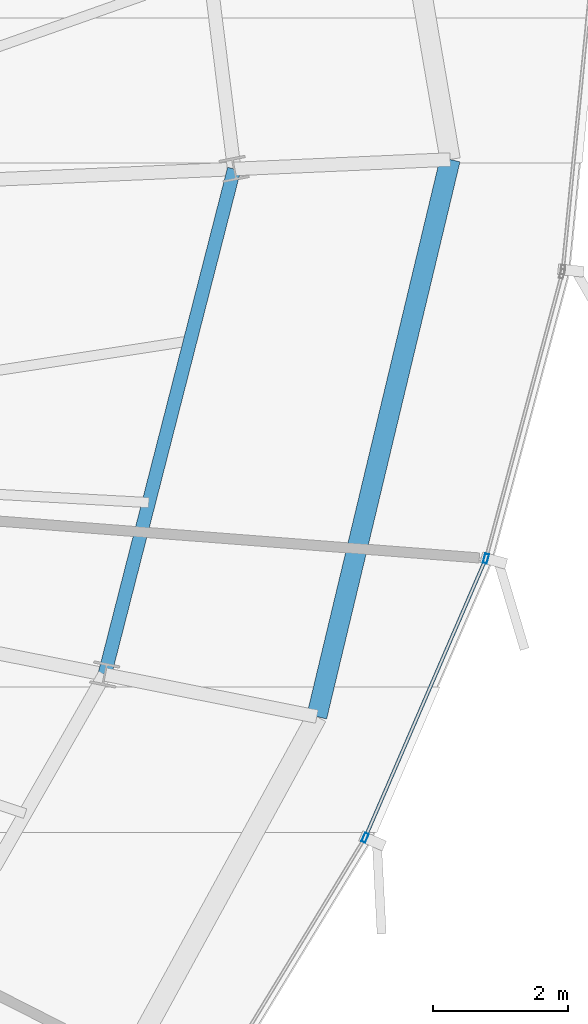
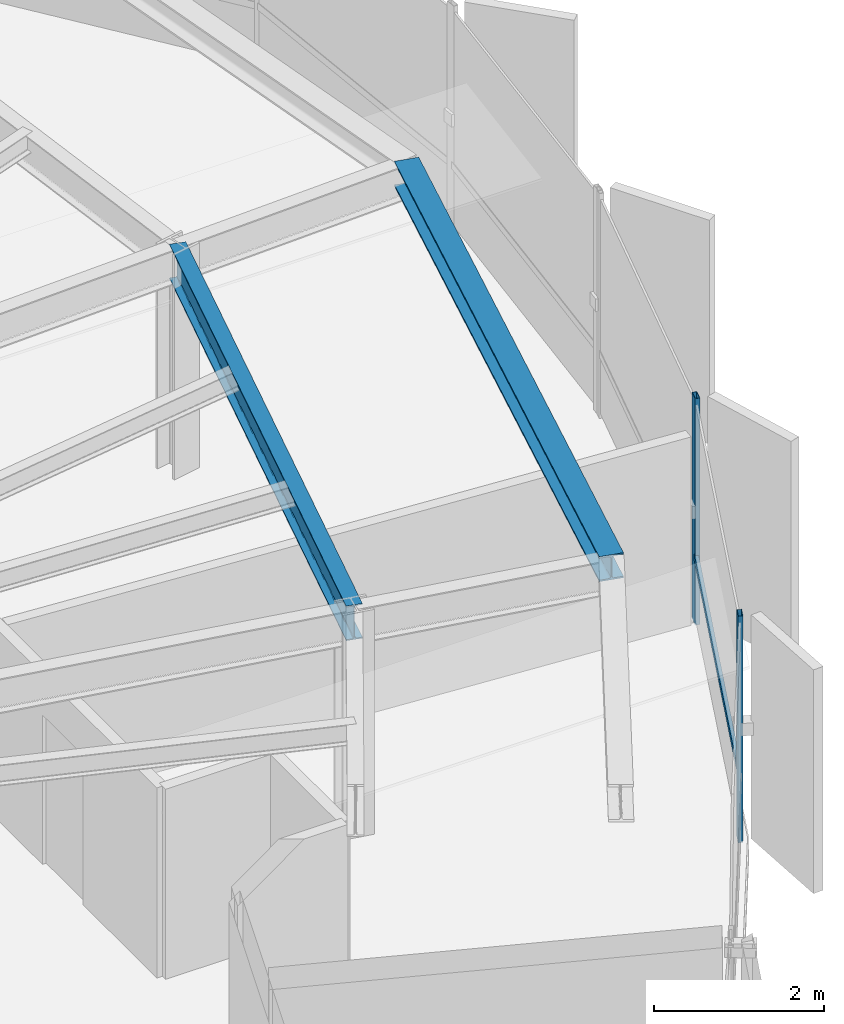
# One storey, part 17 of 34: 3 members, 2 beams, 1 element without a shape of its own.
"""IFC4 building model written with IfcOpenShell, lengths in metres."""

from ifc_helpers import new_model, si_unit, direction, frame, origin, origin_2d, place, context, subcontext, project, spatial, hollow_rectangle, i_section, extrude, source, transform, mapped, material, layer, layer_set, material_profile, profile_set, type_object, element, aggregate, save


model = new_model("IFC4")

# Units and contexts
model_context = context("Model", 3, precision=1e-05, world=origin(), true_north=direction((0.0, 1.0)))
body_context = subcontext(model_context, "Body", "Model", "MODEL_VIEW")
ifc_project = project(units=[si_unit("LENGTHUNIT", "METRE"), si_unit("AREAUNIT", "SQUARE_METRE"), si_unit("VOLUMEUNIT", "CUBIC_METRE"), si_unit("PLANEANGLEUNIT", "RADIAN"), si_unit("MASSUNIT", "GRAM", prefix="KILO"), si_unit("THERMODYNAMICTEMPERATUREUNIT", "KELVIN")], contexts=[model_context])

# Site, building, storey
site_placement = place(None, origin())
site = spatial("IfcSite", under=ifc_project, at=site_placement, CompositionType="ELEMENT")
building_placement = place(site_placement, origin())
building = spatial("IfcBuilding", under=site, at=building_placement, Name="Kethvar Cultural Tower", CompositionType="ELEMENT")
storey_placement = place(building_placement, frame((0.0, 0.0, 190.39990234375)))
storey = spatial("IfcBuildingStorey", under=building, at=storey_placement, Name="L49", CompositionType="ELEMENT", Elevation=190.39990234375)

# Beams
ifc_material_1 = material(Name="Steel S355J2", Category="steel")
ifc_material_profile_1 = material_profile(ifc_material_1, i_section(OverallWidth=0.199951171875, OverallDepth=0.5, WebThickness=0.01025390625, FlangeThickness=0.01611328125, FilletRadius=0.02099609375, at=origin_2d()), Name="Steel S355J2 — IPE500")
ifc_profile_set_1 = profile_set([ifc_material_profile_1], Name="Steel S355J2 — IPE500")
beam_type_1 = type_object("IfcBeamType", Name="BM-IPE500", PredefinedType="BEAM", material=ifc_profile_set_1)
shared_shape_1 = source(origin(), body_context, "Body", "SweptSolid", [
    extrude(i_section(OverallWidth=0.199951171875, OverallDepth=0.5, WebThickness=0.01025390625, FlangeThickness=0.01611328125, FilletRadius=0.02099609375, at=origin_2d()), origin(), (0.0, 0.0, 1.0), 7.72265625),
])
beam_1_placement = place(storey_placement, frame((64.648681640625, 24.249755859375, 3.008056640625), z_axis=(0.248006445258, 0.968758382214, 0.0), x_axis=(-0.968758382214, 0.248006445258, 0.0)))
element("IfcBeam", 1, at=beam_1_placement, inside=storey, type_object=beam_type_1, Name="L49 Column Ring Tie Beam CR-16", PredefinedType="BEAM", context=body_context, shape_type="MappedRepresentation", body=[
    mapped(shared_shape_1, transform((0.0, 0.0, 0.0), scale=1.0)),
])
ifc_material_profile_2 = material_profile(ifc_material_1, i_section(OverallWidth=0.300048828125, OverallDepth=0.360107421875, WebThickness=0.012451171875, FlangeThickness=0.0224609375, FilletRadius=0.027099609375, at=origin_2d()), Name="Steel S355J2 — HEB360")
ifc_profile_set_2 = profile_set([ifc_material_profile_2], Name="Steel S355J2 — HEB360")
beam_type_2 = type_object("IfcBeamType", Name="BM-SP360", PredefinedType="SPANDREL", material=ifc_profile_set_2)
shared_shape_2 = source(origin(), body_context, "Body", "SweptSolid", [
    extrude(i_section(OverallWidth=0.300048828125, OverallDepth=0.360107421875, WebThickness=0.012451171875, FlangeThickness=0.0224609375, FilletRadius=0.027099609375, at=origin_2d()), origin(), (0.0, 0.0, 1.0), 8.47900390625),
])
beam_2_placement = place(storey_placement, frame((67.787109375, 23.62548828125, 3.078125), z_axis=(0.232794647368, 0.97252591336, 0.0), x_axis=(-0.97252591336, 0.232794647368, 0.0)))
element("IfcBeam", 2, at=beam_2_placement, inside=storey, type_object=beam_type_2, Name="L49 Perimeter Spandrel Beam SP-16", PredefinedType="SPANDREL", context=body_context, shape_type="MappedRepresentation", body=[
    mapped(shared_shape_2, transform((0.0, 0.0, 0.0), scale=1.0)),
])

# Curtain wall, members
ifc_material_2 = material(Name="Aluminium 6063-T6", Category="aluminium")
ifc_layer = layer(ifc_material_2, 0.179931640625, Name="Aluminium 6063-T6", Category="aluminium")
ifc_layer_set = layer_set([ifc_layer], Name="Aluminium 6063-T6 (180 mm)")
curtain_wall_type = type_object("IfcCurtainWallType", Name="CW-SYS-04-Z34", PredefinedType="NOTDEFINED", material=ifc_layer_set)
curtain_wall_placement = place(storey_placement, origin())
curtain_wall = element("IfcCurtainWall", 3, at=curtain_wall_placement, inside=storey, type_object=curtain_wall_type, Name="L49 Curtain Wall Run 06", PredefinedType="NOTDEFINED")
ifc_material_profile_3 = material_profile(ifc_material_2, hollow_rectangle(XDim=0.06005859375, YDim=0.139892578125, WallThickness=0.0048828125, at=origin_2d()), Name="Aluminium 6063-T6 — RHS140x60x5")
ifc_profile_set_3 = profile_set([ifc_material_profile_3], Name="Aluminium 6063-T6 — RHS140x60x5")
member_type_1 = type_object("IfcMemberType", Name="CW-SYS-04-Z34-MUL", PredefinedType="MULLION", material=ifc_profile_set_3)
shared_shape_3 = source(origin(), body_context, "Body", "SweptSolid", [
    extrude(hollow_rectangle(XDim=0.06005859375, YDim=0.139892578125, WallThickness=0.0048828125, at=origin_2d()), origin(), (0.0, 0.0, 1.0), 3.260009765625),
])
member_1_placement = place(storey_placement, frame((68.502197265625, 21.83349609375, 0.0), z_axis=(0.0, 0.0, 1.0), x_axis=(-0.917796209882, 0.397051781418, 0.0)))
member_1 = element("IfcMember", 4, at=member_1_placement, type_object=member_type_1, Name="CW-L49-R06 Mullion 5", PredefinedType="MULLION", context=body_context, shape_type="MappedRepresentation", body=[
    mapped(shared_shape_3, transform((0.0, 0.0, 0.0), scale=1.0)),
])
member_2_placement = place(storey_placement, frame((70.29150390625, 25.96630859375, 0.0), z_axis=(0.0, 0.0, 1.0), x_axis=(-0.966079242524, 0.258245807642, 0.0)))
member_2 = element("IfcMember", 5, at=member_2_placement, type_object=member_type_1, Name="CW-L49-R06 Mullion 6", PredefinedType="MULLION", context=body_context, shape_type="MappedRepresentation", body=[
    mapped(shared_shape_3, transform((0.0, 0.0, 0.0), scale=1.0)),
])
ifc_material_profile_4 = material_profile(ifc_material_2, hollow_rectangle(XDim=0.050048828125, YDim=0.10009765625, WallThickness=0.00390625, at=origin_2d()), Name="Aluminium 6063-T6 — RHS100x50x4")
ifc_profile_set_4 = profile_set([ifc_material_profile_4], Name="Aluminium 6063-T6 — RHS100x50x4")
member_type_2 = type_object("IfcMemberType", Name="CW-SYS-04-Z34-TRN", PredefinedType="USERDEFINED", material=ifc_profile_set_4)
shared_shape_4 = source(origin(), body_context, "Body", "SweptSolid", [
    extrude(hollow_rectangle(XDim=0.050048828125, YDim=0.10009765625, WallThickness=0.00390625, at=origin_2d()), origin(), (0.0, 0.0, 1.0), 4.433349609375),
])
member_3_placement = place(storey_placement, frame((68.51953125, 21.873046875, 0.9501953125), z_axis=(0.397054090428, 0.917795210967, 0.0), x_axis=(-0.917795210967, 0.397054090428, 0.0)))
member_3 = element("IfcMember", 6, at=member_3_placement, type_object=member_type_2, Name="CW-L49-R06 Transom 5", ObjectType="TRANSOM", PredefinedType="USERDEFINED", context=body_context, shape_type="MappedRepresentation", body=[
    mapped(shared_shape_4, transform((0.0, 0.0, 0.0), scale=1.0)),
])
aggregate(curtain_wall, [member_1, member_2, member_3])

save(model, "model.ifc")
